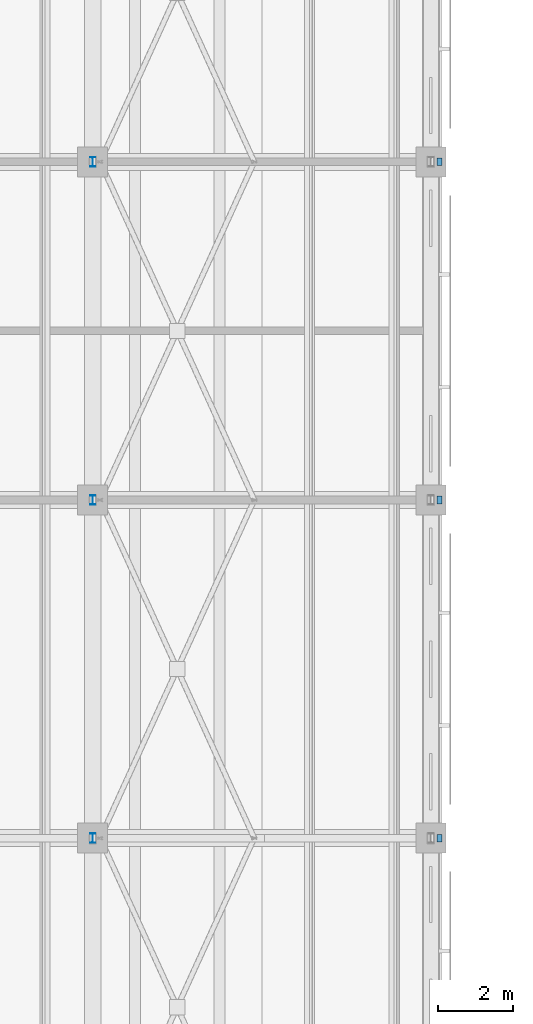
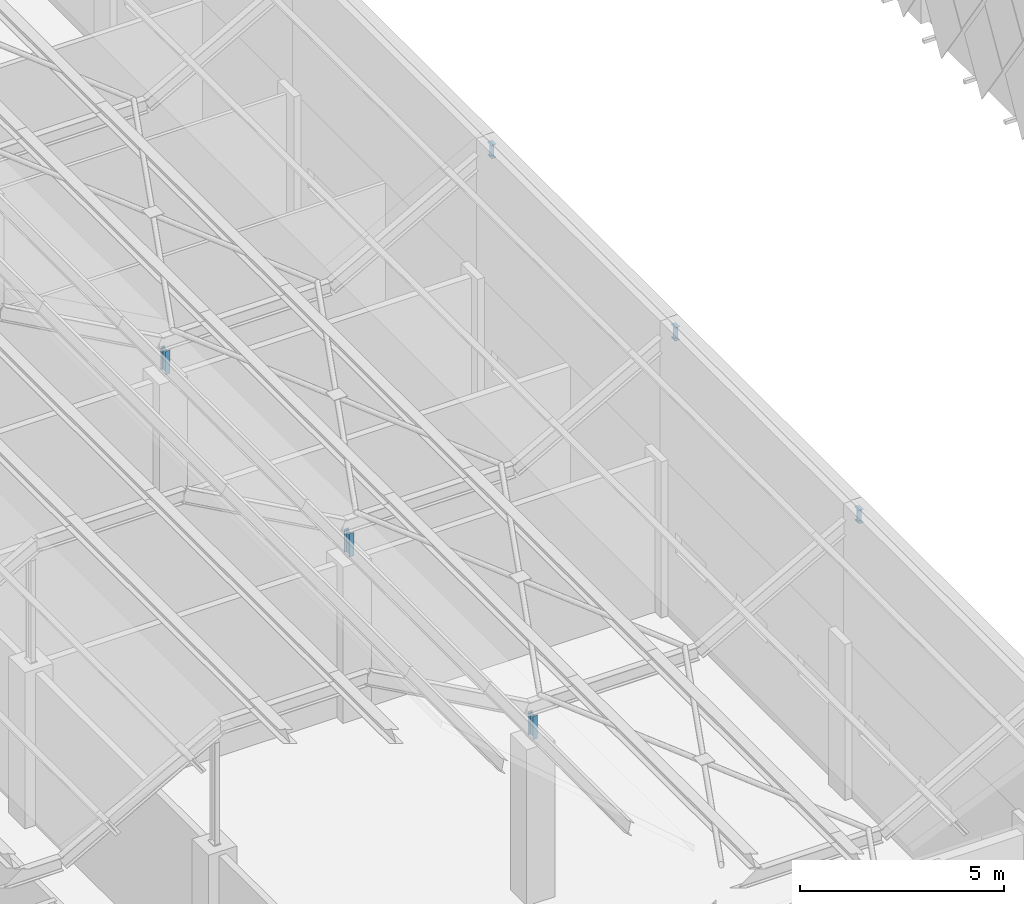
# One storey, part 229 of 437: 6 members.
"""IFC4 building model written with IfcOpenShell, lengths in metres."""

import ifcopenshell
import ifcopenshell.guid

model = None  # the IFC model being written
_history = None  # IfcOwnerHistory: only IFC2X3 demands one
_inside = {}  # id of a spatial element -> (the spatial element, [elements in it])
_under = {}  # id of a project, library or spatial element -> (it, [spatial elements below it])
_declared = {}  # id of a project -> (the project, [libraries it declares])
_typed = {}  # id of a type object -> (the type object, [elements of that type])
_made_of = {}  # id of a material, layer set ... -> (it, [elements and type objects made of it])


def new_model(schema):
    """Start an empty IFC model of exactly this schema.

    Asked for "IFC4X3", IfcOpenShell would pick the latest addendum, in which some entities
    have other attributes; the version numbers below select the first issue.
    IFC2X3 requires an IfcOwnerHistory on every rooted entity: one is made here for all.
    """
    global model, _history
    if schema == "IFC4X3":
        model = ifcopenshell.file(schema_version=(4, 3, 0, 0))
    else:
        model = ifcopenshell.file(schema=schema)
    _inside.clear()
    _under.clear()
    _declared.clear()
    _typed.clear()
    _made_of.clear()
    _history = None
    if model.schema == "IFC2X3":
        org = make("IfcOrganization", Name="unknown")
        user = make(
            "IfcPersonAndOrganization",
            ThePerson=make("IfcPerson", FamilyName="unknown"),
            TheOrganization=org,
        )
        app = make(
            "IfcApplication",
            ApplicationDeveloper=org,
            Version="unknown",
            ApplicationFullName="unknown",
            ApplicationIdentifier="unknown",
        )
        _history = make(
            "IfcOwnerHistory",
            OwningUser=user,
            OwningApplication=app,
            ChangeAction="ADDED",
            CreationDate=0,
        )
    return model


def make(cls, **values):
    """One entity of the class cls with the attributes given. An attribute that is None is left unset."""
    return model.create_entity(
        cls, **{name: value for name, value in values.items() if value is not None}
    )


def rooted(cls, **values):
    """An entity with a GlobalId (a new one), such as an element, a storey or a relation."""
    return make(cls, GlobalId=ifcopenshell.guid.new(), OwnerHistory=_history, **values)


def si_unit(unit_type, name, prefix=None):
    """IfcSIUnit, for example si_unit("LENGTHUNIT", "METRE", prefix="MILLI")."""
    return make("IfcSIUnit", UnitType=unit_type, Prefix=prefix, Name=name)


def assignment(units):
    """IfcUnitAssignment: the units of a project."""
    return None if units is None else make("IfcUnitAssignment", Units=units)


def point(xyz):
    """IfcCartesianPoint."""
    return None if xyz is None else make("IfcCartesianPoint", Coordinates=xyz)


def direction(xyz):
    """IfcDirection."""
    return None if xyz is None else make("IfcDirection", DirectionRatios=xyz)


def frame(location, z_axis=None, x_axis=None):
    """IfcAxis2Placement3D, a coordinate frame: its origin and axes. An axis left out is left unset."""
    return make(
        "IfcAxis2Placement3D",
        Location=point(location),
        Axis=direction(z_axis),
        RefDirection=direction(x_axis),
    )


def frame_2d(location, x_axis=None):
    """IfcAxis2Placement2D, a coordinate frame in the plane: its origin and x axis."""
    return make(
        "IfcAxis2Placement2D", Location=point(location), RefDirection=direction(x_axis)
    )


def origin():
    """The frame at (0, 0, 0) with its axes left unset."""
    return frame((0.0, 0.0, 0.0))


def origin_2d():
    """The frame at (0, 0) in the plane with its x axis left unset."""
    return frame_2d((0.0, 0.0))


def place(relative_to, where):
    """IfcLocalPlacement: puts the frame where relative to a parent placement (None: the world)."""
    return make(
        "IfcLocalPlacement", PlacementRelTo=relative_to, RelativePlacement=where
    )


def context(
    kind, dimensions, precision=None, world=None, true_north=None, identifier=None
):
    """IfcGeometricRepresentationContext, for example the 3D "Model" context."""
    return make(
        "IfcGeometricRepresentationContext",
        ContextIdentifier=identifier,
        ContextType=kind,
        CoordinateSpaceDimension=dimensions,
        Precision=precision,
        WorldCoordinateSystem=world,
        TrueNorth=true_north,
    )


def subcontext(parent, identifier, kind, view, scale=None):
    """IfcGeometricRepresentationSubContext, for example "Body" below "Model"."""
    return make(
        "IfcGeometricRepresentationSubContext",
        ContextIdentifier=identifier,
        ContextType=kind,
        ParentContext=parent,
        TargetScale=scale,
        TargetView=view,
    )


def project(units=None, contexts=None):
    """IfcProject with its units and contexts."""
    return rooted(
        "IfcProject",
        Name="project",
        RepresentationContexts=contexts,
        UnitsInContext=assignment(units),
    )


def spatial(cls, under=None, at=None, **own):
    """A site, building, storey or space (cls), placed at a placement, below another one or the project."""
    s = rooted(cls, ObjectPlacement=at, **own)
    if under is not None:
        _under.setdefault(under.id(), (under, []))[1].append(s)
    return s


def profile(cls, at=None, kind="AREA", **sizes):
    """A parametric profile (cls). Its sizes go by their IFC names, for example OverallWidth=200.0."""
    return make(cls, ProfileType=kind, Position=at, **sizes)


def i_section(**sizes):
    """IfcIShapeProfileDef."""
    return profile("IfcIShapeProfileDef", **sizes)


def extrude(swept, where, along, depth):
    """IfcExtrudedAreaSolid: the profile swept, set in the frame where, extruded along a direction by depth."""
    return make(
        "IfcExtrudedAreaSolid",
        SweptArea=swept,
        Position=where,
        ExtrudedDirection=direction(along),
        Depth=depth,
    )


def shape(context_of_items, identifier, shape_type, items):
    """IfcShapeRepresentation: the items that make up one representation, for example the "Body"."""
    return make(
        "IfcShapeRepresentation",
        ContextOfItems=context_of_items,
        RepresentationIdentifier=identifier,
        RepresentationType=shape_type,
        Items=items,
    )


def material(Name=None, Category=None):
    """IfcMaterial."""
    return make("IfcMaterial", Name=Name, Category=Category)


def material_profile(
    of_material, cross_section, Name=None, Category=None, Priority=None
):
    """IfcMaterialProfile: a cross section and its material."""
    return make(
        "IfcMaterialProfile",
        Name=Name,
        Material=of_material,
        Profile=cross_section,
        Priority=Priority,
        Category=Category,
    )


def profile_set(profiles, Name=None, composite=None):
    """IfcMaterialProfileSet."""
    return make(
        "IfcMaterialProfileSet",
        Name=Name,
        MaterialProfiles=profiles,
        CompositeProfile=composite,
    )


def made_of(thing, what):
    """Note that an element or type object is made of a material, layer set ...; save() writes the relation."""
    if what is not None:
        _made_of.setdefault(what.id(), (what, []))[1].append(thing)
    return thing


def type_object(cls, material=None, **own):
    """A type object (cls), such as IfcWallType, which elements share."""
    return made_of(rooted(cls, **own), material)


def element(
    cls,
    number,
    at=None,
    inside=None,
    cuts=None,
    type_object=None,
    material=None,
    context=None,
    identifier="Body",
    shape_type=None,
    held_by="IfcProductDefinitionShape",
    body=None,
    shapes=None,
    **own,
):
    """One element of the class cls, such as IfcWall. Its Tag is "e" and its number.

    at: its placement. inside: the storey or other place that contains it. cuts: it is an
    opening in that element (IfcRelVoidsElement). A single representation is given by context,
    identifier, shape_type and body (its items); several are given by shapes. held_by: the class
    of the entity that holds the representations. save() writes the other relations.
    """
    e = rooted(cls, Tag="e%d" % number, ObjectPlacement=at, **own)
    if body is not None:
        shapes = [shape(context, identifier, shape_type, body)]
    if shapes is not None:
        e.Representation = make(held_by, Representations=shapes)
    if inside is not None:
        _inside.setdefault(inside.id(), (inside, []))[1].append(e)
    if cuts is not None:
        rooted(
            "IfcRelVoidsElement", RelatingBuildingElement=cuts, RelatedOpeningElement=e
        )
    if type_object is not None:
        _typed.setdefault(type_object.id(), (type_object, []))[1].append(e)
    return made_of(e, material)


def aggregate(whole, parts):
    """IfcRelAggregates: a whole, such as a stair, and the parts it consists of."""
    return rooted("IfcRelAggregates", RelatingObject=whole, RelatedObjects=parts)


def save(model, path):
    """Write the relations noted so far, then the file.

    IfcRelAggregates (storeys below a building ...), IfcRelContainedInSpatialStructure (elements
    in a storey), IfcRelDefinesByType, IfcRelAssociatesMaterial and IfcRelDeclares: one each for
    every whole, place, type object, material and project.
    """
    for whole, parts in _under.values():
        aggregate(whole, parts)
    for where, things in _inside.values():
        rooted(
            "IfcRelContainedInSpatialStructure",
            RelatedElements=things,
            RelatingStructure=where,
        )
    for kind, things in _typed.values():
        rooted("IfcRelDefinesByType", RelatedObjects=things, RelatingType=kind)
    for what, things in _made_of.values():
        rooted("IfcRelAssociatesMaterial", RelatedObjects=things, RelatingMaterial=what)
    for by, libraries in _declared.values():
        rooted("IfcRelDeclares", RelatingContext=by, RelatedDefinitions=libraries)
    model.write(path)


model = new_model("IFC4")

# Units and contexts
model_context = context("Model", 3, precision=1e-05, world=origin(), true_north=direction((0.0, 1.0)))
body_context = subcontext(model_context, "Body", "Model", "MODEL_VIEW")
ifc_project = project(units=[si_unit("LENGTHUNIT", "METRE"), si_unit("AREAUNIT", "SQUARE_METRE"), si_unit("VOLUMEUNIT", "CUBIC_METRE"), si_unit("PLANEANGLEUNIT", "RADIAN"), si_unit("MASSUNIT", "GRAM", prefix="KILO")], contexts=[model_context])

# Site, building, storey
site_placement = place(None, origin())
site = spatial("IfcSite", under=ifc_project, at=site_placement, CompositionType="ELEMENT")
building_placement = place(site_placement, origin())
building = spatial("IfcBuilding", under=site, at=building_placement, Name="Opaline Strait Convention Centre", CompositionType="ELEMENT")
storey_placement = place(building_placement, frame((0.0, 0.0, 11.5)))
storey = spatial("IfcBuildingStorey", under=building, at=storey_placement, Name="L02", CompositionType="ELEMENT", Elevation=11.5)

# Members
ifc_material = material(Name="Steel Q355B", Category="steel")
ifc_material_profile_1 = material_profile(ifc_material, i_section(OverallWidth=0.125, OverallDepth=0.25, WebThickness=0.006103515625, FlangeThickness=0.009033203125, FilletRadius=0.008056640625, at=origin_2d()), Name="HN 250x125x6x9")
ifc_profile_set_1 = profile_set([ifc_material_profile_1], Name="Steel Q355B")
member_type_1 = type_object("IfcMemberType", Name="Roof post HN 250x125x6x9", PredefinedType="STRUT", material=ifc_profile_set_1)
for number, where, z_axis, x_axis, name in (
    (1, (72.0, 36.0, 4.68994140625), (0.0, 0.0, 1.0), (1.0, 0.0, 0.0), "RP1 roof post at 72/36"),
    (2, (72.0, 45.0, 4.68994140625), (0.0, 0.0, 1.0), (1.0, 0.0, 0.0), "RP1 roof post at 72/45"),
    (3, (72.0, 54.0, 4.68994140625), (0.0, 0.0, 1.0), (1.0, 0.0, 0.0), "RP1 roof post at 72/54"),
):
    element("IfcMember", number, at=place(storey_placement, frame(where, z_axis=z_axis, x_axis=x_axis)), inside=storey, type_object=member_type_1, Name=name, PredefinedType="STRUT", context=body_context, shape_type="SweptSolid", body=[
        extrude(i_section(OverallWidth=0.125, OverallDepth=0.25, WebThickness=0.006103515625, FlangeThickness=0.009033203125, FilletRadius=0.008056640625, at=origin_2d()), origin(), (0.0, 0.0, 1.0), 0.695068359375),
    ])
ifc_material_profile_2 = material_profile(ifc_material, i_section(OverallWidth=0.199951171875, OverallDepth=0.39990234375, WebThickness=0.008056640625, FlangeThickness=0.012939453125, FilletRadius=0.012939453125, at=origin_2d()), Name="HN 400x200x8x13")
ifc_profile_set_2 = profile_set([ifc_material_profile_2], Name="Steel Q355B")
member_type_2 = type_object("IfcMemberType", Name="Roof rafter HN 400x200x8x13", PredefinedType="RAFTER", material=ifc_profile_set_2)
for number, where, z_axis, x_axis, name in (
    (4, (81.16845703125, 36.0, 8.10009765625), (1.0, 0.0, 0.0), (0.0, 1.0, 0.0), "RR1 rafter line 4 facet 18"),
    (5, (81.16845703125, 45.0, 8.10009765625), (1.0, 0.0, 0.0), (0.0, 1.0, 0.0), "RR1 rafter line 5 facet 18"),
    (6, (81.16845703125, 54.0, 8.10009765625), (1.0, 0.0, 0.0), (0.0, 1.0, 0.0), "RR1 rafter line 6 facet 18"),
):
    element("IfcMember", number, at=place(storey_placement, frame(where, z_axis=z_axis, x_axis=x_axis)), inside=storey, type_object=member_type_2, Name=name, PredefinedType="RAFTER", context=body_context, shape_type="SweptSolid", body=[
        extrude(i_section(OverallWidth=0.199951171875, OverallDepth=0.39990234375, WebThickness=0.008056640625, FlangeThickness=0.012939453125, FilletRadius=0.012939453125, at=origin_2d()), origin(), (0.0, 0.0, 1.0), 0.131591796875),
    ])

save(model, "model.ifc")
